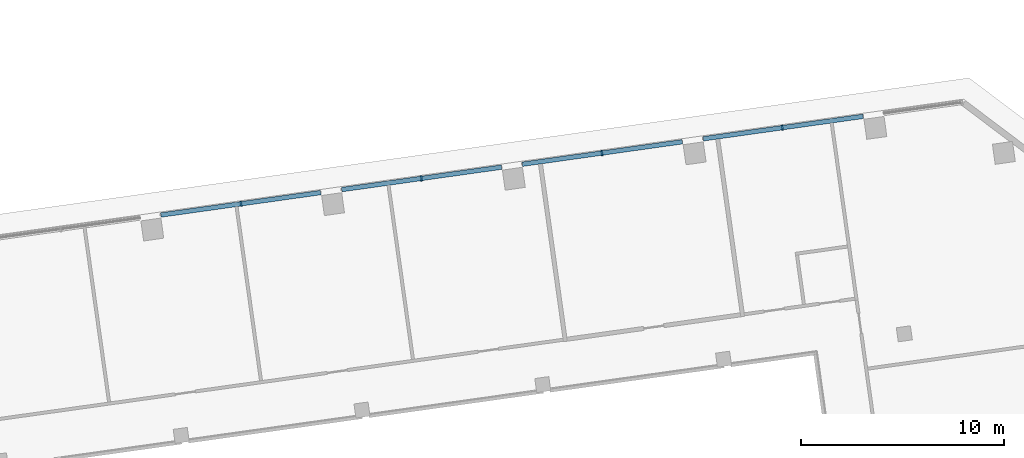
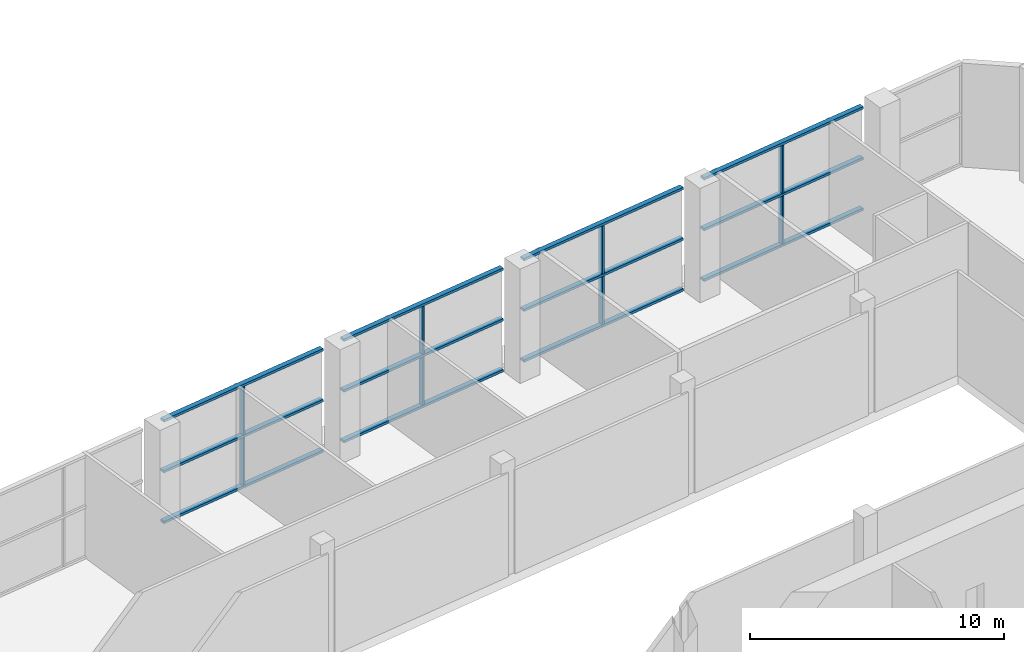
# One storey, part 6 of 23: 20 members, 1 element without a shape of its own.
"""IFC4 building model written with IfcOpenShell, lengths in metres."""

from ifc_helpers import new_model, si_unit, direction, frame, origin, origin_2d, place, context, subcontext, project, spatial, rectangle, extrude, material, material_profile, profile_set, type_object, element, aggregate, save


model = new_model("IFC4")

# Units and contexts
model_context = context("Model", 3, precision=1e-05, world=origin(), true_north=direction((0.0, 1.0)))
body_context = subcontext(model_context, "Body", "Model", "MODEL_VIEW")
ifc_project = project(units=[si_unit("LENGTHUNIT", "METRE"), si_unit("AREAUNIT", "SQUARE_METRE"), si_unit("VOLUMEUNIT", "CUBIC_METRE"), si_unit("PLANEANGLEUNIT", "RADIAN"), si_unit("MASSUNIT", "GRAM", prefix="KILO")], contexts=[model_context])

# Site, building, storey
site_placement = place(None, origin())
site = spatial("IfcSite", under=ifc_project, at=site_placement, CompositionType="ELEMENT")
building_placement = place(site_placement, origin())
building = spatial("IfcBuilding", under=site, at=building_placement, Name="Mirante Cascada Hotel Towers", CompositionType="ELEMENT")
storey_placement = place(building_placement, frame((0.0, 0.0, 29.0)))
storey = spatial("IfcBuildingStorey", under=building, at=storey_placement, Name="L04", CompositionType="ELEMENT", Elevation=29.0)

# Curtain wall, members
ifc_material_1 = material(Name="Aluminium mullion and transom frame with clear laminated glass", Category="aluminium")
curtain_wall_type = type_object("IfcCurtainWallType", Name="Podium curtain wall ECW3", PredefinedType="NOTDEFINED", material=ifc_material_1)
curtain_wall_placement = place(storey_placement, origin())
curtain_wall = element("IfcCurtainWall", 1, at=curtain_wall_placement, inside=storey, type_object=curtain_wall_type, Name="Front podium glazing T2 L04", PredefinedType="NOTDEFINED")
ifc_material_2 = material(Name="Anodised aluminium extrusion", Category="aluminium")
ifc_material_profile_1 = material_profile(ifc_material_2, rectangle(XDim=0.26, YDim=0.08, at=origin_2d()), Name="ECW3 MULLION 80x260")
ifc_profile_set_1 = profile_set([ifc_material_profile_1], Name="Anodised aluminium extrusion")
member_type_1 = type_object("IfcMemberType", Name="ECW3 mullion 80x260", PredefinedType="MULLION", material=ifc_profile_set_1)
member_1_placement = place(storey_placement, frame((85.2633, 24.802, 0.12), z_axis=(0.0, 0.0, 1.0), x_axis=(0.1391731, -0.9902681, 0.0)))
member_1 = element("IfcMember", 2, at=member_1_placement, type_object=member_type_1, Name="ECW3 mullion 3", PredefinedType="MULLION", context=body_context, shape_type="SweptSolid", body=[
    extrude(rectangle(XDim=0.26, YDim=0.08, at=origin_2d()), origin(), (0.0, 0.0, 1.0), 2.32),
])
member_2_placement = place(storey_placement, frame((85.2633, 24.802, 2.56), z_axis=(0.0, 0.0, 1.0), x_axis=(0.1391731, -0.9902681, 0.0)))
member_2 = element("IfcMember", 3, at=member_2_placement, type_object=member_type_1, Name="ECW3 mullion 3", PredefinedType="MULLION", context=body_context, shape_type="SweptSolid", body=[
    extrude(rectangle(XDim=0.26, YDim=0.08, at=origin_2d()), origin(), (0.0, 0.0, 1.0), 2.32),
])
member_3_placement = place(storey_placement, frame((76.3685, 23.5519, 0.12), z_axis=(0.0, 0.0, 1.0), x_axis=(0.1391731, -0.9902681, 0.0)))
member_3 = element("IfcMember", 4, at=member_3_placement, type_object=member_type_1, Name="ECW3 mullion 5", PredefinedType="MULLION", context=body_context, shape_type="SweptSolid", body=[
    extrude(rectangle(XDim=0.26, YDim=0.08, at=origin_2d()), origin(), (0.0, 0.0, 1.0), 2.32),
])
member_4_placement = place(storey_placement, frame((76.3685, 23.5519, 2.56), z_axis=(0.0, 0.0, 1.0), x_axis=(0.1391731, -0.9902681, 0.0)))
member_4 = element("IfcMember", 5, at=member_4_placement, type_object=member_type_1, Name="ECW3 mullion 5", PredefinedType="MULLION", context=body_context, shape_type="SweptSolid", body=[
    extrude(rectangle(XDim=0.26, YDim=0.08, at=origin_2d()), origin(), (0.0, 0.0, 1.0), 2.32),
])
member_5_placement = place(storey_placement, frame((67.4737, 22.3018, 0.12), z_axis=(0.0, 0.0, 1.0), x_axis=(0.1391731, -0.9902681, 0.0)))
member_5 = element("IfcMember", 6, at=member_5_placement, type_object=member_type_1, Name="ECW3 mullion 7", PredefinedType="MULLION", context=body_context, shape_type="SweptSolid", body=[
    extrude(rectangle(XDim=0.26, YDim=0.08, at=origin_2d()), origin(), (0.0, 0.0, 1.0), 2.32),
])
member_6_placement = place(storey_placement, frame((67.4737, 22.3018, 2.56), z_axis=(0.0, 0.0, 1.0), x_axis=(0.1391731, -0.9902681, 0.0)))
member_6 = element("IfcMember", 7, at=member_6_placement, type_object=member_type_1, Name="ECW3 mullion 7", PredefinedType="MULLION", context=body_context, shape_type="SweptSolid", body=[
    extrude(rectangle(XDim=0.26, YDim=0.08, at=origin_2d()), origin(), (0.0, 0.0, 1.0), 2.32),
])
member_7_placement = place(storey_placement, frame((58.5788, 21.0517, 0.12), z_axis=(0.0, 0.0, 1.0), x_axis=(0.1391731, -0.9902681, 0.0)))
member_7 = element("IfcMember", 8, at=member_7_placement, type_object=member_type_1, Name="ECW3 mullion 9", PredefinedType="MULLION", context=body_context, shape_type="SweptSolid", body=[
    extrude(rectangle(XDim=0.26, YDim=0.08, at=origin_2d()), origin(), (0.0, 0.0, 1.0), 2.32),
])
member_8_placement = place(storey_placement, frame((58.5788, 21.0517, 2.56), z_axis=(0.0, 0.0, 1.0), x_axis=(0.1391731, -0.9902681, 0.0)))
member_8 = element("IfcMember", 9, at=member_8_placement, type_object=member_type_1, Name="ECW3 mullion 9", PredefinedType="MULLION", context=body_context, shape_type="SweptSolid", body=[
    extrude(rectangle(XDim=0.26, YDim=0.08, at=origin_2d()), origin(), (0.0, 0.0, 1.0), 2.32),
])
ifc_material_3 = material(Name="Anodised aluminium extrusion", Category="aluminium")
ifc_material_profile_2 = material_profile(ifc_material_3, rectangle(XDim=0.22, YDim=0.12, at=origin_2d()), Name="ECW3 TRANSOM 120x220")
ifc_profile_set_2 = profile_set([ifc_material_profile_2], Name="Anodised aluminium extrusion")
member_type_2 = type_object("IfcMemberType", Name="ECW3 transom 120x220", PredefinedType="USERDEFINED", material=ifc_profile_set_2)
member_9_placement = place(storey_placement, frame((89.2485, 25.3621, 0.06), z_axis=(-0.9902683, -0.1391715, 0.0), x_axis=(0.1391715, -0.9902683, 0.0)))
member_9 = element("IfcMember", 10, at=member_9_placement, type_object=member_type_2, Name="ECW3 sill transom", ObjectType="TRANSOM", PredefinedType="USERDEFINED", context=body_context, shape_type="SweptSolid", body=[
    extrude(rectangle(XDim=0.22, YDim=0.12, at=origin_2d()), origin(), (0.0, 0.0, 1.0), 7.96),
])
member_10_placement = place(storey_placement, frame((80.3361, 24.1095, 0.06), z_axis=(-0.9902683, -0.1391715, 0.0), x_axis=(0.1391715, -0.9902683, 0.0)))
member_10 = element("IfcMember", 11, at=member_10_placement, type_object=member_type_2, Name="ECW3 sill transom", ObjectType="TRANSOM", PredefinedType="USERDEFINED", context=body_context, shape_type="SweptSolid", body=[
    extrude(rectangle(XDim=0.22, YDim=0.12, at=origin_2d()), origin(), (0.0, 0.0, 1.0), 7.96),
])
member_11_placement = place(storey_placement, frame((71.4237, 22.857, 0.06), z_axis=(-0.9902683, -0.1391715, 0.0), x_axis=(0.1391715, -0.9902683, 0.0)))
member_11 = element("IfcMember", 12, at=member_11_placement, type_object=member_type_2, Name="ECW3 sill transom", ObjectType="TRANSOM", PredefinedType="USERDEFINED", context=body_context, shape_type="SweptSolid", body=[
    extrude(rectangle(XDim=0.22, YDim=0.12, at=origin_2d()), origin(), (0.0, 0.0, 1.0), 7.96),
])
member_12_placement = place(storey_placement, frame((62.5113, 21.6044, 0.06), z_axis=(-0.9902683, -0.1391715, 0.0), x_axis=(0.1391715, -0.9902683, 0.0)))
member_12 = element("IfcMember", 13, at=member_12_placement, type_object=member_type_2, Name="ECW3 sill transom", ObjectType="TRANSOM", PredefinedType="USERDEFINED", context=body_context, shape_type="SweptSolid", body=[
    extrude(rectangle(XDim=0.22, YDim=0.12, at=origin_2d()), origin(), (0.0, 0.0, 1.0), 7.96),
])
member_13_placement = place(storey_placement, frame((89.2485, 25.3621, 2.5), z_axis=(-0.9902683, -0.1391715, 0.0), x_axis=(0.1391715, -0.9902683, 0.0)))
member_13 = element("IfcMember", 14, at=member_13_placement, type_object=member_type_2, Name="ECW3 intermediate transom", ObjectType="TRANSOM", PredefinedType="USERDEFINED", context=body_context, shape_type="SweptSolid", body=[
    extrude(rectangle(XDim=0.22, YDim=0.12, at=origin_2d()), origin(), (0.0, 0.0, 1.0), 7.96),
])
member_14_placement = place(storey_placement, frame((80.3361, 24.1095, 2.5), z_axis=(-0.9902683, -0.1391715, 0.0), x_axis=(0.1391715, -0.9902683, 0.0)))
member_14 = element("IfcMember", 15, at=member_14_placement, type_object=member_type_2, Name="ECW3 intermediate transom", ObjectType="TRANSOM", PredefinedType="USERDEFINED", context=body_context, shape_type="SweptSolid", body=[
    extrude(rectangle(XDim=0.22, YDim=0.12, at=origin_2d()), origin(), (0.0, 0.0, 1.0), 7.96),
])
member_15_placement = place(storey_placement, frame((71.4237, 22.857, 2.5), z_axis=(-0.9902683, -0.1391715, 0.0), x_axis=(0.1391715, -0.9902683, 0.0)))
member_15 = element("IfcMember", 16, at=member_15_placement, type_object=member_type_2, Name="ECW3 intermediate transom", ObjectType="TRANSOM", PredefinedType="USERDEFINED", context=body_context, shape_type="SweptSolid", body=[
    extrude(rectangle(XDim=0.22, YDim=0.12, at=origin_2d()), origin(), (0.0, 0.0, 1.0), 7.96),
])
member_16_placement = place(storey_placement, frame((62.5113, 21.6044, 2.5), z_axis=(-0.9902683, -0.1391715, 0.0), x_axis=(0.1391715, -0.9902683, 0.0)))
member_16 = element("IfcMember", 17, at=member_16_placement, type_object=member_type_2, Name="ECW3 intermediate transom", ObjectType="TRANSOM", PredefinedType="USERDEFINED", context=body_context, shape_type="SweptSolid", body=[
    extrude(rectangle(XDim=0.22, YDim=0.12, at=origin_2d()), origin(), (0.0, 0.0, 1.0), 7.96),
])
member_17_placement = place(storey_placement, frame((89.2485, 25.3621, 4.94), z_axis=(-0.9902683, -0.1391715, 0.0), x_axis=(0.1391715, -0.9902683, 0.0)))
member_17 = element("IfcMember", 18, at=member_17_placement, type_object=member_type_2, Name="ECW3 head transom", ObjectType="TRANSOM", PredefinedType="USERDEFINED", context=body_context, shape_type="SweptSolid", body=[
    extrude(rectangle(XDim=0.22, YDim=0.12, at=origin_2d()), origin(), (0.0, 0.0, 1.0), 7.96),
])
member_18_placement = place(storey_placement, frame((80.3361, 24.1095, 4.94), z_axis=(-0.9902683, -0.1391715, 0.0), x_axis=(0.1391715, -0.9902683, 0.0)))
member_18 = element("IfcMember", 19, at=member_18_placement, type_object=member_type_2, Name="ECW3 head transom", ObjectType="TRANSOM", PredefinedType="USERDEFINED", context=body_context, shape_type="SweptSolid", body=[
    extrude(rectangle(XDim=0.22, YDim=0.12, at=origin_2d()), origin(), (0.0, 0.0, 1.0), 7.96),
])
member_19_placement = place(storey_placement, frame((71.4237, 22.857, 4.94), z_axis=(-0.9902683, -0.1391715, 0.0), x_axis=(0.1391715, -0.9902683, 0.0)))
member_19 = element("IfcMember", 20, at=member_19_placement, type_object=member_type_2, Name="ECW3 head transom", ObjectType="TRANSOM", PredefinedType="USERDEFINED", context=body_context, shape_type="SweptSolid", body=[
    extrude(rectangle(XDim=0.22, YDim=0.12, at=origin_2d()), origin(), (0.0, 0.0, 1.0), 7.96),
])
member_20_placement = place(storey_placement, frame((62.5113, 21.6044, 4.94), z_axis=(-0.9902683, -0.1391715, 0.0), x_axis=(0.1391715, -0.9902683, 0.0)))
member_20 = element("IfcMember", 21, at=member_20_placement, type_object=member_type_2, Name="ECW3 head transom", ObjectType="TRANSOM", PredefinedType="USERDEFINED", context=body_context, shape_type="SweptSolid", body=[
    extrude(rectangle(XDim=0.22, YDim=0.12, at=origin_2d()), origin(), (0.0, 0.0, 1.0), 7.96),
])
aggregate(curtain_wall, [member_9, member_10, member_11, member_12, member_13, member_14, member_15, member_16, member_17, member_18, member_19, member_20, member_1, member_2, member_3, member_4, member_5, member_6, member_7, member_8])

save(model, "model.ifc")
